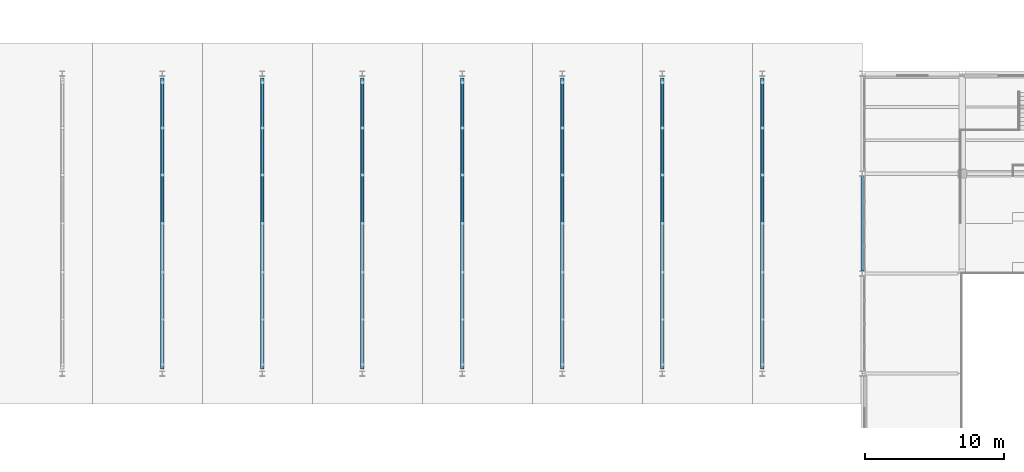
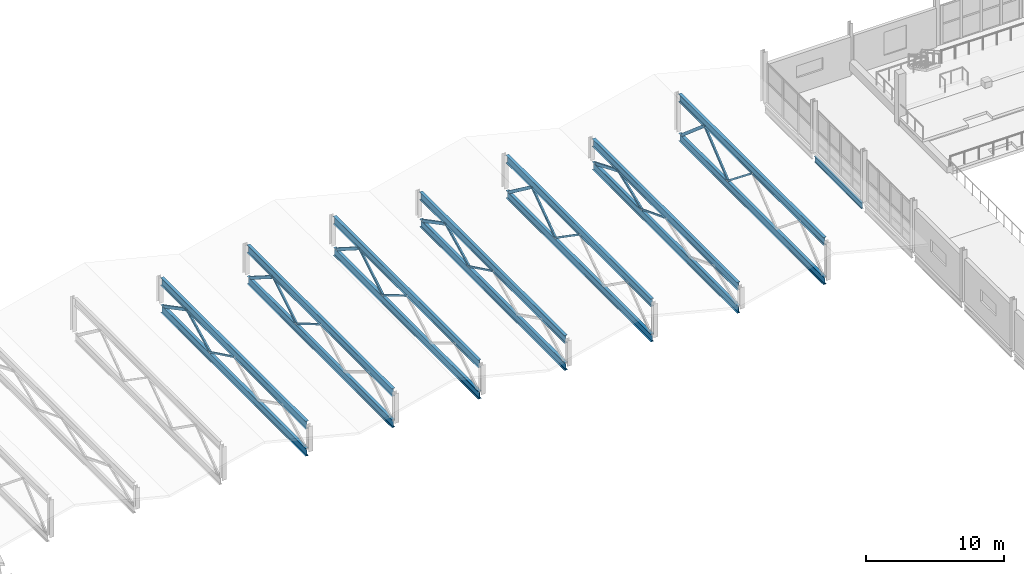
# One storey, part 38 of 123: 21 members, 15 beams.
"""IFC4 building model written with IfcOpenShell, lengths in metres."""

from ifc_helpers import new_model, si_unit, direction, frame, origin, origin_2d, place, context, subcontext, project, spatial, hollow_rectangle, i_section, extrude, material, material_profile, profile_set, type_object, element, save


model = new_model("IFC4")

# Units and contexts
model_context = context("Model", 3, precision=1e-05, world=origin(), true_north=direction((0.0, 1.0)))
body_context = subcontext(model_context, "Body", "Model", "MODEL_VIEW")
ifc_project = project(units=[si_unit("LENGTHUNIT", "METRE"), si_unit("AREAUNIT", "SQUARE_METRE"), si_unit("VOLUMEUNIT", "CUBIC_METRE"), si_unit("PLANEANGLEUNIT", "RADIAN"), si_unit("MASSUNIT", "GRAM", prefix="KILO")], contexts=[model_context])

# Site, building, storey
site_placement = place(None, origin())
site = spatial("IfcSite", under=ifc_project, at=site_placement, CompositionType="ELEMENT")
building_placement = place(site_placement, origin())
building = spatial("IfcBuilding", under=site, at=building_placement, Name="Kalmorath City Hall", CompositionType="ELEMENT")
storey_placement = place(building_placement, frame((0.0, 0.0, 10.199951171875)))
storey = spatial("IfcBuildingStorey", under=building, at=storey_placement, Name="L02", CompositionType="ELEMENT", Elevation=10.199951171875)

# Beams
ifc_material_1 = material(Name="Steel ASTM A992 Grade 50", Category="steel")
ifc_material_profile_1 = material_profile(ifc_material_1, i_section(OverallWidth=0.25390625, OverallDepth=0.68408203125, WebThickness=0.012451171875, FlangeThickness=0.01904296875, FilletRadius=0.01904296875, at=origin_2d()), Name="W27X94")
ifc_profile_set_1 = profile_set([ifc_material_profile_1], Name="Steel ASTM A992 Grade 50")
beam_type_1 = type_object("IfcBeamType", Name="Steel folded truss tie girder W27X94", PredefinedType="BEAM", material=ifc_profile_set_1)
for number, where, z_axis, x_axis, name in (
    (1, (64.800048828125, 21.925048828125, -0.349853515625), (0.0, 1.0, 0.0), (-1.0, 0.0, 0.0), "Public Hall truss bottom tie SG6-4"),
    (2, (72.0, 21.925048828125, -0.349853515625), (0.0, 1.0, 0.0), (-1.0, 0.0, 0.0), "Public Hall truss bottom tie SG6-5"),
    (3, (79.199951171875, 21.925048828125, -0.349853515625), (0.0, 1.0, 0.0), (-1.0, 0.0, 0.0), "Public Hall truss bottom tie SG6-6"),
    (4, (86.39990234375, 21.925048828125, -0.349853515625), (0.0, 1.0, 0.0), (-1.0, 0.0, 0.0), "Public Hall truss bottom tie SG6-7"),
    (5, (93.60009765625, 21.925048828125, -0.349853515625), (0.0, 1.0, 0.0), (-1.0, 0.0, 0.0), "Public Hall truss bottom tie SG6-8"),
    (6, (100.800048828125, 21.925048828125, -0.349853515625), (0.0, 1.0, 0.0), (-1.0, 0.0, 0.0), "Public Hall truss bottom tie SG6-9"),
    (7, (108.0, 21.925048828125, -0.349853515625), (0.0, 1.0, 0.0), (-1.0, 0.0, 0.0), "Public Hall truss bottom tie SG6-10"),
):
    element("IfcBeam", number, at=place(storey_placement, frame(where, z_axis=z_axis, x_axis=x_axis)), inside=storey, type_object=beam_type_1, Name=name, PredefinedType="BEAM", context=body_context, shape_type="SweptSolid", body=[
        extrude(i_section(OverallWidth=0.25390625, OverallDepth=0.68408203125, WebThickness=0.012451171875, FlangeThickness=0.01904296875, FilletRadius=0.01904296875, at=origin_2d()), origin(), (0.0, 0.0, 1.0), 20.949951171875),
    ])
ifc_material_2 = material(Name="Steel ASTM A992 Grade 50", Category="steel")
ifc_material_profile_2 = material_profile(ifc_material_2, i_section(OverallWidth=0.256103515625, OverallDepth=0.693115234375, WebThickness=0.014404296875, FlangeThickness=0.023681640625, FilletRadius=0.01904296875, at=origin_2d()), Name="W27X114")
ifc_profile_set_2 = profile_set([ifc_material_profile_2], Name="Steel ASTM A992 Grade 50")
beam_type_2 = type_object("IfcBeamType", Name="Steel folded truss top chord W27X114", PredefinedType="BEAM", material=ifc_profile_set_2)
for number, where, z_axis, x_axis, name in (
    (8, (64.800048828125, 21.925048828125, 2.0400390625), (0.0, 1.0, 0.0), (-1.0, 0.0, 0.0), "Public Hall truss top chord SG5-4"),
    (9, (72.0, 21.925048828125, 2.400146484375), (0.0, 1.0, 0.0), (-1.0, 0.0, 0.0), "Public Hall truss top chord SG5-5"),
    (10, (79.199951171875, 21.925048828125, 2.400146484375), (0.0, 1.0, 0.0), (-1.0, 0.0, 0.0), "Public Hall truss top chord SG5-6"),
    (11, (86.39990234375, 21.925048828125, 2.0400390625), (0.0, 1.0, 0.0), (-1.0, 0.0, 0.0), "Public Hall truss top chord SG5-7"),
    (12, (93.60009765625, 21.925048828125, 2.760009765625), (0.0, 1.0, 0.0), (-1.0, 0.0, 0.0), "Public Hall truss top chord SG5-8"),
    (13, (100.800048828125, 21.925048828125, 1.679931640625), (0.0, 1.0, 0.0), (-1.0, 0.0, 0.0), "Public Hall truss top chord SG5-9"),
    (14, (108.0, 21.925048828125, 3.1201171875), (0.0, 1.0, 0.0), (-1.0, 0.0, 0.0), "Public Hall truss top chord SG5-10"),
):
    element("IfcBeam", number, at=place(storey_placement, frame(where, z_axis=z_axis, x_axis=x_axis)), inside=storey, type_object=beam_type_2, Name=name, PredefinedType="BEAM", context=body_context, shape_type="SweptSolid", body=[
        extrude(i_section(OverallWidth=0.256103515625, OverallDepth=0.693115234375, WebThickness=0.014404296875, FlangeThickness=0.023681640625, FilletRadius=0.01904296875, at=origin_2d()), origin(), (0.0, 0.0, 1.0), 20.949951171875),
    ])
ifc_material_3 = material(Name="Steel ASTM A992 Grade 50", Category="steel")
ifc_material_profile_3 = material_profile(ifc_material_3, i_section(OverallWidth=0.1650390625, OverallDepth=0.52490234375, WebThickness=0.0087890625, FlangeThickness=0.011474609375, FilletRadius=0.014892578125, at=origin_2d()), Name="W21X44")
ifc_profile_set_3 = profile_set([ifc_material_profile_3], Name="Steel ASTM A992 Grade 50")
beam_type_3 = type_object("IfcBeamType", Name="Steel spandrel beam W21X44", PredefinedType="SPANDREL", material=ifc_profile_set_3)
beam_placement = place(storey_placement, frame((115.199951171875, 28.986083984375, -0.54638671875), z_axis=(0.0, 1.0, 0.0), x_axis=(-1.0, 0.0, 0.0)))
element("IfcBeam", 15, at=beam_placement, inside=storey, type_object=beam_type_3, Name="L02 girder SB4 Y17/5-6", PredefinedType="SPANDREL", context=body_context, shape_type="SweptSolid", body=[
    extrude(i_section(OverallWidth=0.1650390625, OverallDepth=0.52490234375, WebThickness=0.0087890625, FlangeThickness=0.011474609375, FilletRadius=0.014892578125, at=origin_2d()), origin(), (0.0, 0.0, 1.0), 6.827880859375),
])

# Members
ifc_material_4 = material(Name="Steel ASTM A500 Grade C", Category="steel")
ifc_material_profile_4 = material_profile(ifc_material_4, hollow_rectangle(XDim=0.10205078125, YDim=0.152099609375, WallThickness=0.005859375, InnerFilletRadius=0.005859375, OuterFilletRadius=0.01171875, at=origin_2d()), Name="HSS152X102X6.4")
ifc_profile_set_4 = profile_set([ifc_material_profile_4], Name="Steel ASTM A500 Grade C")
member_type_1 = type_object("IfcMemberType", Name="Steel truss secondary chord HSS152X102X6.4", PredefinedType="CHORD", material=ifc_profile_set_4)
member_1_placement = place(storey_placement, frame((64.800048828125, 32.39990234375, 1.693115234375), z_axis=(0.0, 0.899389779931, -0.437147599509), x_axis=(-1.0, 0.0, 0.0)))
element("IfcMember", 16, at=member_1_placement, inside=storey, type_object=member_type_1, Name="Public Hall truss web CH3-4.4", PredefinedType="CHORD", context=body_context, shape_type="SweptSolid", body=[
    extrude(hollow_rectangle(XDim=0.10205078125, YDim=0.152099609375, WallThickness=0.005859375, InnerFilletRadius=0.005859375, OuterFilletRadius=0.01171875, at=origin_2d()), origin(), (0.0, 0.0, 1.0), 3.8916015625),
])
for number, where, z_axis, x_axis, name in (
    (17, (72.0, 32.39990234375, 2.052978515625), (0.0, 0.861696163888, -0.507424596508), (-1.0, 0.0, 0.0), "Public Hall truss web CH3-5.4"),
    (18, (79.199951171875, 32.39990234375, 2.052978515625), (0.0, 0.861696163888, -0.507424596508), (-1.0, 0.0, 0.0), "Public Hall truss web CH3-6.4"),
):
    element("IfcMember", number, at=place(storey_placement, frame(where, z_axis=z_axis, x_axis=x_axis)), inside=storey, type_object=member_type_1, Name=name, PredefinedType="CHORD", context=body_context, shape_type="SweptSolid", body=[
        extrude(hollow_rectangle(XDim=0.10205078125, YDim=0.152099609375, WallThickness=0.005859375, InnerFilletRadius=0.005859375, OuterFilletRadius=0.01171875, at=origin_2d()), origin(), (0.0, 0.0, 1.0), 4.061767578125),
    ])
member_2_placement = place(storey_placement, frame((86.39990234375, 32.39990234375, 1.693115234375), z_axis=(0.0, 0.899389779931, -0.437147599509), x_axis=(-1.0, 0.0, 0.0)))
element("IfcMember", 19, at=member_2_placement, inside=storey, type_object=member_type_1, Name="Public Hall truss web CH3-7.4", PredefinedType="CHORD", context=body_context, shape_type="SweptSolid", body=[
    extrude(hollow_rectangle(XDim=0.10205078125, YDim=0.152099609375, WallThickness=0.005859375, InnerFilletRadius=0.005859375, OuterFilletRadius=0.01171875, at=origin_2d()), origin(), (0.0, 0.0, 1.0), 3.8916015625),
])
member_3_placement = place(storey_placement, frame((93.60009765625, 32.39990234375, 2.4130859375), z_axis=(0.0, 0.82240484888, -0.568902684594), x_axis=(-1.0, 0.0, 0.0)))
element("IfcMember", 20, at=member_3_placement, inside=storey, type_object=member_type_1, Name="Public Hall truss web CH3-8.4", PredefinedType="CHORD", context=body_context, shape_type="SweptSolid", body=[
    extrude(hollow_rectangle(XDim=0.10205078125, YDim=0.152099609375, WallThickness=0.005859375, InnerFilletRadius=0.005859375, OuterFilletRadius=0.01171875, at=origin_2d()), origin(), (0.0, 0.0, 1.0), 4.255859375),
])
member_4_placement = place(storey_placement, frame((100.800048828125, 32.39990234375, 1.3330078125), z_axis=(0.0, 0.93379980632, -0.357795921883), x_axis=(-1.0, 0.0, 0.0)))
element("IfcMember", 21, at=member_4_placement, inside=storey, type_object=member_type_1, Name="Public Hall truss web CH3-9.4", PredefinedType="CHORD", context=body_context, shape_type="SweptSolid", body=[
    extrude(hollow_rectangle(XDim=0.10205078125, YDim=0.152099609375, WallThickness=0.005859375, InnerFilletRadius=0.005859375, OuterFilletRadius=0.01171875, at=origin_2d()), origin(), (0.0, 0.0, 1.0), 3.748046875),
])
member_5_placement = place(storey_placement, frame((108.0, 32.39990234375, 2.77294921875), z_axis=(0.0, 0.782937155165, -0.622100804582), x_axis=(-1.0, 0.0, 0.0)))
element("IfcMember", 22, at=member_5_placement, inside=storey, type_object=member_type_1, Name="Public Hall truss web CH3-10.4", PredefinedType="CHORD", context=body_context, shape_type="SweptSolid", body=[
    extrude(hollow_rectangle(XDim=0.10205078125, YDim=0.152099609375, WallThickness=0.005859375, InnerFilletRadius=0.005859375, OuterFilletRadius=0.01171875, at=origin_2d()), origin(), (0.0, 0.0, 1.0), 4.470458984375),
])
ifc_material_5 = material(Name="Steel ASTM A500 Grade C", Category="steel")
ifc_material_profile_5 = material_profile(ifc_material_5, hollow_rectangle(XDim=0.152099609375, YDim=0.25390625, WallThickness=0.0087890625, InnerFilletRadius=0.0087890625, OuterFilletRadius=0.017822265625, at=origin_2d()), Name="HSS254X152X9.5")
ifc_profile_set_5 = profile_set([ifc_material_profile_5], Name="Steel ASTM A500 Grade C")
member_type_2 = type_object("IfcMemberType", Name="Steel truss web chord HSS254X152X9.5", PredefinedType="CHORD", material=ifc_profile_set_5)
member_6_placement = place(storey_placement, frame((64.800048828125, 39.300048828125, 1.693115234375), z_axis=(0.0, 0.885966974012, -0.463748337959), x_axis=(-1.0, 0.0, 0.0)))
element("IfcMember", 23, at=member_6_placement, inside=storey, type_object=member_type_2, Name="Public Hall truss web CH1-4.6", PredefinedType="CHORD", context=body_context, shape_type="SweptSolid", body=[
    extrude(hollow_rectangle(XDim=0.152099609375, YDim=0.25390625, WallThickness=0.0087890625, InnerFilletRadius=0.0087890625, OuterFilletRadius=0.017822265625, at=origin_2d()), origin(), (0.0, 0.0, 1.0), 3.668212890625),
])
for number, where, z_axis, x_axis, name in (
    (24, (72.0, 39.300048828125, 2.052978515625), (0.0, 0.844501580426, -0.535553060544), (-1.0, 0.0, 0.0), "Public Hall truss web CH1-5.6"),
    (25, (79.199951171875, 39.300048828125, 2.052978515625), (0.0, 0.844501580426, -0.535553060544), (-1.0, 0.0, 0.0), "Public Hall truss web CH1-6.6"),
):
    element("IfcMember", number, at=place(storey_placement, frame(where, z_axis=z_axis, x_axis=x_axis)), inside=storey, type_object=member_type_2, Name=name, PredefinedType="CHORD", context=body_context, shape_type="SweptSolid", body=[
        extrude(hollow_rectangle(XDim=0.152099609375, YDim=0.25390625, WallThickness=0.0087890625, InnerFilletRadius=0.0087890625, OuterFilletRadius=0.017822265625, at=origin_2d()), origin(), (0.0, 0.0, 1.0), 3.848388671875),
    ])
member_7_placement = place(storey_placement, frame((86.39990234375, 39.300048828125, 1.693115234375), z_axis=(0.0, 0.885966974012, -0.463748337959), x_axis=(-1.0, 0.0, 0.0)))
element("IfcMember", 26, at=member_7_placement, inside=storey, type_object=member_type_2, Name="Public Hall truss web CH1-7.6", PredefinedType="CHORD", context=body_context, shape_type="SweptSolid", body=[
    extrude(hollow_rectangle(XDim=0.152099609375, YDim=0.25390625, WallThickness=0.0087890625, InnerFilletRadius=0.0087890625, OuterFilletRadius=0.017822265625, at=origin_2d()), origin(), (0.0, 0.0, 1.0), 3.668212890625),
])
member_8_placement = place(storey_placement, frame((93.60009765625, 39.300048828125, 2.4130859375), z_axis=(0.0, 0.801933192213, -0.597413721994), x_axis=(-1.0, 0.0, 0.0)))
element("IfcMember", 27, at=member_8_placement, inside=storey, type_object=member_type_2, Name="Public Hall truss web CH1-8.6", PredefinedType="CHORD", context=body_context, shape_type="SweptSolid", body=[
    extrude(hollow_rectangle(XDim=0.152099609375, YDim=0.25390625, WallThickness=0.0087890625, InnerFilletRadius=0.0087890625, OuterFilletRadius=0.017822265625, at=origin_2d()), origin(), (0.0, 0.0, 1.0), 4.052734375),
])
member_9_placement = place(storey_placement, frame((100.800048828125, 39.300048828125, 1.3330078125), z_axis=(0.0, 0.924394532678, -0.381437737981), x_axis=(-1.0, 0.0, 0.0)))
element("IfcMember", 28, at=member_9_placement, inside=storey, type_object=member_type_2, Name="Public Hall truss web CH1-9.6", PredefinedType="CHORD", context=body_context, shape_type="SweptSolid", body=[
    extrude(hollow_rectangle(XDim=0.152099609375, YDim=0.25390625, WallThickness=0.0087890625, InnerFilletRadius=0.0087890625, OuterFilletRadius=0.017822265625, at=origin_2d()), origin(), (0.0, 0.0, 1.0), 3.515869140625),
])
member_10_placement = place(storey_placement, frame((108.0, 39.300048828125, 2.77294921875), z_axis=(0.0, 0.759800241146, -0.650156591564), x_axis=(-1.0, 0.0, 0.0)))
element("IfcMember", 29, at=member_10_placement, inside=storey, type_object=member_type_2, Name="Public Hall truss web CH1-10.6", PredefinedType="CHORD", context=body_context, shape_type="SweptSolid", body=[
    extrude(hollow_rectangle(XDim=0.152099609375, YDim=0.25390625, WallThickness=0.0087890625, InnerFilletRadius=0.0087890625, OuterFilletRadius=0.017822265625, at=origin_2d()), origin(), (0.0, 0.0, 1.0), 4.27734375),
])
ifc_material_6 = material(Name="Steel ASTM A500 Grade C", Category="steel")
ifc_material_profile_6 = material_profile(ifc_material_6, hollow_rectangle(XDim=0.152099609375, YDim=0.202880859375, WallThickness=0.0087890625, InnerFilletRadius=0.0087890625, OuterFilletRadius=0.017822265625, at=origin_2d()), Name="HSS203X152X9.5")
ifc_profile_set_6 = profile_set([ifc_material_profile_6], Name="Steel ASTM A500 Grade C")
member_type_3 = type_object("IfcMemberType", Name="Steel truss web diagonal HSS203X152X9.5", PredefinedType="CHORD", material=ifc_profile_set_6)
member_11_placement = place(storey_placement, frame((64.800048828125, 35.89990234375, -0.008056640625), z_axis=(0.0, 0.894311575513, 0.44744475179), x_axis=(-1.0, 0.0, 0.0)))
element("IfcMember", 30, at=member_11_placement, inside=storey, type_object=member_type_3, Name="Public Hall truss web CH2-4.5", PredefinedType="CHORD", context=body_context, shape_type="SweptSolid", body=[
    extrude(hollow_rectangle(XDim=0.152099609375, YDim=0.202880859375, WallThickness=0.0087890625, InnerFilletRadius=0.0087890625, OuterFilletRadius=0.017822265625, at=origin_2d()), origin(), (0.0, 0.0, 1.0), 3.802001953125),
])
for number, where, z_axis, x_axis, name in (
    (31, (72.0, 35.89990234375, -0.008056640625), (0.0, 0.855159890525, 0.518364313622), (-1.0, 0.0, 0.0), "Public Hall truss web CH2-5.5"),
    (32, (79.199951171875, 35.89990234375, -0.008056640625), (0.0, 0.855159890525, 0.518364313622), (-1.0, 0.0, 0.0), "Public Hall truss web CH2-6.5"),
):
    element("IfcMember", number, at=place(storey_placement, frame(where, z_axis=z_axis, x_axis=x_axis)), inside=storey, type_object=member_type_3, Name=name, PredefinedType="CHORD", context=body_context, shape_type="SweptSolid", body=[
        extrude(hollow_rectangle(XDim=0.152099609375, YDim=0.202880859375, WallThickness=0.0087890625, InnerFilletRadius=0.0087890625, OuterFilletRadius=0.017822265625, at=origin_2d()), origin(), (0.0, 0.0, 1.0), 3.97607421875),
    ])
member_12_placement = place(storey_placement, frame((86.39990234375, 35.89990234375, -0.008056640625), z_axis=(0.0, 0.894311575513, 0.44744475179), x_axis=(-1.0, 0.0, 0.0)))
element("IfcMember", 33, at=member_12_placement, inside=storey, type_object=member_type_3, Name="Public Hall truss web CH2-7.5", PredefinedType="CHORD", context=body_context, shape_type="SweptSolid", body=[
    extrude(hollow_rectangle(XDim=0.152099609375, YDim=0.202880859375, WallThickness=0.0087890625, InnerFilletRadius=0.0087890625, OuterFilletRadius=0.017822265625, at=origin_2d()), origin(), (0.0, 0.0, 1.0), 3.802001953125),
])
member_13_placement = place(storey_placement, frame((93.60009765625, 35.89990234375, -0.008056640625), z_axis=(0.0, 0.814586227269, 0.580042479775), x_axis=(-1.0, 0.0, 0.0)))
element("IfcMember", 34, at=member_13_placement, inside=storey, type_object=member_type_3, Name="Public Hall truss web CH2-8.5", PredefinedType="CHORD", context=body_context, shape_type="SweptSolid", body=[
    extrude(hollow_rectangle(XDim=0.152099609375, YDim=0.202880859375, WallThickness=0.0087890625, InnerFilletRadius=0.0087890625, OuterFilletRadius=0.017822265625, at=origin_2d()), origin(), (0.0, 0.0, 1.0), 4.174072265625),
])
member_14_placement = place(storey_placement, frame((100.800048828125, 35.89990234375, -0.008056640625), z_axis=(0.0, 0.930257839194, 0.366906463035), x_axis=(-1.0, 0.0, 0.0)))
element("IfcMember", 35, at=member_14_placement, inside=storey, type_object=member_type_3, Name="Public Hall truss web CH2-9.5", PredefinedType="CHORD", context=body_context, shape_type="SweptSolid", body=[
    extrude(hollow_rectangle(XDim=0.152099609375, YDim=0.202880859375, WallThickness=0.0087890625, InnerFilletRadius=0.0087890625, OuterFilletRadius=0.017822265625, at=origin_2d()), origin(), (0.0, 0.0, 1.0), 3.655029296875),
])
member_15_placement = place(storey_placement, frame((108.0, 35.89990234375, -0.008056640625), z_axis=(0.0, 0.774061294719, 0.633110663326), x_axis=(-1.0, 0.0, 0.0)))
element("IfcMember", 36, at=member_15_placement, inside=storey, type_object=member_type_3, Name="Public Hall truss web CH2-10.5", PredefinedType="CHORD", context=body_context, shape_type="SweptSolid", body=[
    extrude(hollow_rectangle(XDim=0.152099609375, YDim=0.202880859375, WallThickness=0.0087890625, InnerFilletRadius=0.0087890625, OuterFilletRadius=0.017822265625, at=origin_2d()), origin(), (0.0, 0.0, 1.0), 4.392578125),
])

save(model, "model.ifc")
